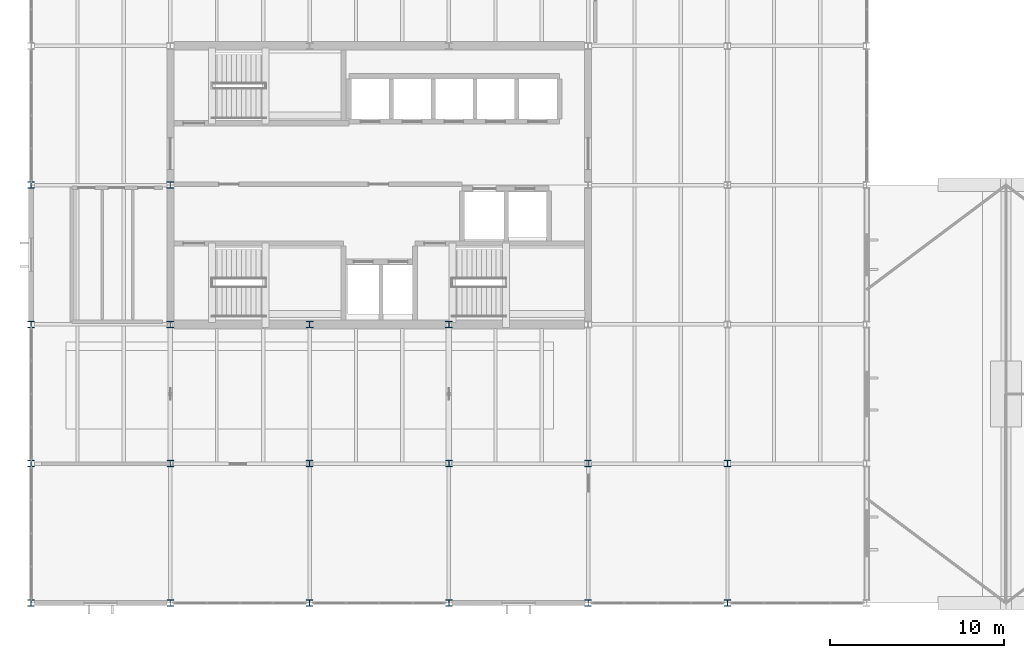
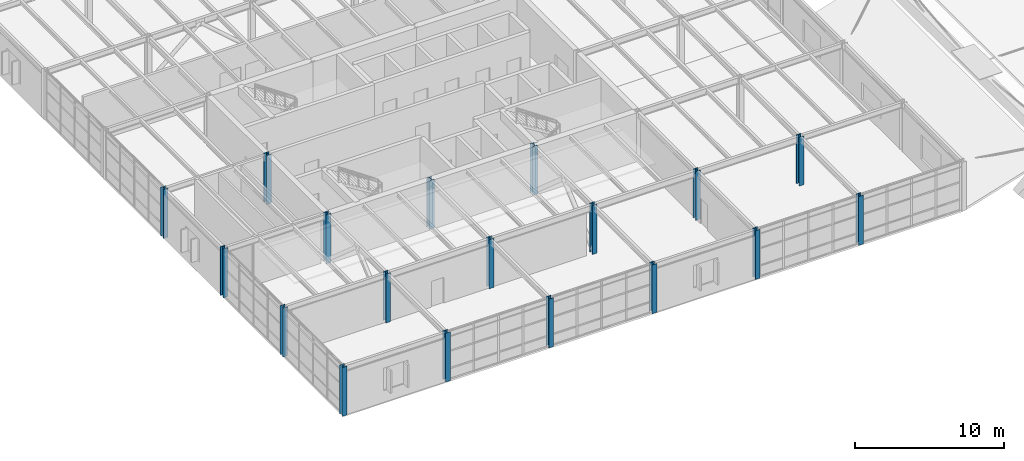
# One storey, part 1 of 50: 18 columns.
"""IFC4 building model written with IfcOpenShell, lengths in metres."""

import ifcopenshell
import ifcopenshell.guid

model = None  # the IFC model being written
_history = None  # IfcOwnerHistory: only IFC2X3 demands one
_inside = {}  # id of a spatial element -> (the spatial element, [elements in it])
_under = {}  # id of a project, library or spatial element -> (it, [spatial elements below it])
_declared = {}  # id of a project -> (the project, [libraries it declares])
_typed = {}  # id of a type object -> (the type object, [elements of that type])
_made_of = {}  # id of a material, layer set ... -> (it, [elements and type objects made of it])


def new_model(schema):
    """Start an empty IFC model of exactly this schema.

    Asked for "IFC4X3", IfcOpenShell would pick the latest addendum, in which some entities
    have other attributes; the version numbers below select the first issue.
    IFC2X3 requires an IfcOwnerHistory on every rooted entity: one is made here for all.
    """
    global model, _history
    if schema == "IFC4X3":
        model = ifcopenshell.file(schema_version=(4, 3, 0, 0))
    else:
        model = ifcopenshell.file(schema=schema)
    _inside.clear()
    _under.clear()
    _declared.clear()
    _typed.clear()
    _made_of.clear()
    _history = None
    if model.schema == "IFC2X3":
        org = make("IfcOrganization", Name="unknown")
        user = make(
            "IfcPersonAndOrganization",
            ThePerson=make("IfcPerson", FamilyName="unknown"),
            TheOrganization=org,
        )
        app = make(
            "IfcApplication",
            ApplicationDeveloper=org,
            Version="unknown",
            ApplicationFullName="unknown",
            ApplicationIdentifier="unknown",
        )
        _history = make(
            "IfcOwnerHistory",
            OwningUser=user,
            OwningApplication=app,
            ChangeAction="ADDED",
            CreationDate=0,
        )
    return model


def make(cls, **values):
    """One entity of the class cls with the attributes given. An attribute that is None is left unset."""
    return model.create_entity(
        cls, **{name: value for name, value in values.items() if value is not None}
    )


def rooted(cls, **values):
    """An entity with a GlobalId (a new one), such as an element, a storey or a relation."""
    return make(cls, GlobalId=ifcopenshell.guid.new(), OwnerHistory=_history, **values)


def si_unit(unit_type, name, prefix=None):
    """IfcSIUnit, for example si_unit("LENGTHUNIT", "METRE", prefix="MILLI")."""
    return make("IfcSIUnit", UnitType=unit_type, Prefix=prefix, Name=name)


def assignment(units):
    """IfcUnitAssignment: the units of a project."""
    return None if units is None else make("IfcUnitAssignment", Units=units)


def point(xyz):
    """IfcCartesianPoint."""
    return None if xyz is None else make("IfcCartesianPoint", Coordinates=xyz)


def direction(xyz):
    """IfcDirection."""
    return None if xyz is None else make("IfcDirection", DirectionRatios=xyz)


def frame(location, z_axis=None, x_axis=None):
    """IfcAxis2Placement3D, a coordinate frame: its origin and axes. An axis left out is left unset."""
    return make(
        "IfcAxis2Placement3D",
        Location=point(location),
        Axis=direction(z_axis),
        RefDirection=direction(x_axis),
    )


def frame_2d(location, x_axis=None):
    """IfcAxis2Placement2D, a coordinate frame in the plane: its origin and x axis."""
    return make(
        "IfcAxis2Placement2D", Location=point(location), RefDirection=direction(x_axis)
    )


def origin():
    """The frame at (0, 0, 0) with its axes left unset."""
    return frame((0.0, 0.0, 0.0))


def origin_2d():
    """The frame at (0, 0) in the plane with its x axis left unset."""
    return frame_2d((0.0, 0.0))


def place(relative_to, where):
    """IfcLocalPlacement: puts the frame where relative to a parent placement (None: the world)."""
    return make(
        "IfcLocalPlacement", PlacementRelTo=relative_to, RelativePlacement=where
    )


def context(
    kind, dimensions, precision=None, world=None, true_north=None, identifier=None
):
    """IfcGeometricRepresentationContext, for example the 3D "Model" context."""
    return make(
        "IfcGeometricRepresentationContext",
        ContextIdentifier=identifier,
        ContextType=kind,
        CoordinateSpaceDimension=dimensions,
        Precision=precision,
        WorldCoordinateSystem=world,
        TrueNorth=true_north,
    )


def subcontext(parent, identifier, kind, view, scale=None):
    """IfcGeometricRepresentationSubContext, for example "Body" below "Model"."""
    return make(
        "IfcGeometricRepresentationSubContext",
        ContextIdentifier=identifier,
        ContextType=kind,
        ParentContext=parent,
        TargetScale=scale,
        TargetView=view,
    )


def project(units=None, contexts=None):
    """IfcProject with its units and contexts."""
    return rooted(
        "IfcProject",
        Name="project",
        RepresentationContexts=contexts,
        UnitsInContext=assignment(units),
    )


def spatial(cls, under=None, at=None, **own):
    """A site, building, storey or space (cls), placed at a placement, below another one or the project."""
    s = rooted(cls, ObjectPlacement=at, **own)
    if under is not None:
        _under.setdefault(under.id(), (under, []))[1].append(s)
    return s


def profile(cls, at=None, kind="AREA", **sizes):
    """A parametric profile (cls). Its sizes go by their IFC names, for example OverallWidth=200.0."""
    return make(cls, ProfileType=kind, Position=at, **sizes)


def i_section(**sizes):
    """IfcIShapeProfileDef."""
    return profile("IfcIShapeProfileDef", **sizes)


def extrude(swept, where, along, depth):
    """IfcExtrudedAreaSolid: the profile swept, set in the frame where, extruded along a direction by depth."""
    return make(
        "IfcExtrudedAreaSolid",
        SweptArea=swept,
        Position=where,
        ExtrudedDirection=direction(along),
        Depth=depth,
    )


def shape(context_of_items, identifier, shape_type, items):
    """IfcShapeRepresentation: the items that make up one representation, for example the "Body"."""
    return make(
        "IfcShapeRepresentation",
        ContextOfItems=context_of_items,
        RepresentationIdentifier=identifier,
        RepresentationType=shape_type,
        Items=items,
    )


def material(Name=None, Category=None):
    """IfcMaterial."""
    return make("IfcMaterial", Name=Name, Category=Category)


def material_profile(
    of_material, cross_section, Name=None, Category=None, Priority=None
):
    """IfcMaterialProfile: a cross section and its material."""
    return make(
        "IfcMaterialProfile",
        Name=Name,
        Material=of_material,
        Profile=cross_section,
        Priority=Priority,
        Category=Category,
    )


def profile_set(profiles, Name=None, composite=None):
    """IfcMaterialProfileSet."""
    return make(
        "IfcMaterialProfileSet",
        Name=Name,
        MaterialProfiles=profiles,
        CompositeProfile=composite,
    )


def made_of(thing, what):
    """Note that an element or type object is made of a material, layer set ...; save() writes the relation."""
    if what is not None:
        _made_of.setdefault(what.id(), (what, []))[1].append(thing)
    return thing


def type_object(cls, material=None, **own):
    """A type object (cls), such as IfcWallType, which elements share."""
    return made_of(rooted(cls, **own), material)


def element(
    cls,
    number,
    at=None,
    inside=None,
    cuts=None,
    type_object=None,
    material=None,
    context=None,
    identifier="Body",
    shape_type=None,
    held_by="IfcProductDefinitionShape",
    body=None,
    shapes=None,
    **own,
):
    """One element of the class cls, such as IfcWall. Its Tag is "e" and its number.

    at: its placement. inside: the storey or other place that contains it. cuts: it is an
    opening in that element (IfcRelVoidsElement). A single representation is given by context,
    identifier, shape_type and body (its items); several are given by shapes. held_by: the class
    of the entity that holds the representations. save() writes the other relations.
    """
    e = rooted(cls, Tag="e%d" % number, ObjectPlacement=at, **own)
    if body is not None:
        shapes = [shape(context, identifier, shape_type, body)]
    if shapes is not None:
        e.Representation = make(held_by, Representations=shapes)
    if inside is not None:
        _inside.setdefault(inside.id(), (inside, []))[1].append(e)
    if cuts is not None:
        rooted(
            "IfcRelVoidsElement", RelatingBuildingElement=cuts, RelatedOpeningElement=e
        )
    if type_object is not None:
        _typed.setdefault(type_object.id(), (type_object, []))[1].append(e)
    return made_of(e, material)


def aggregate(whole, parts):
    """IfcRelAggregates: a whole, such as a stair, and the parts it consists of."""
    return rooted("IfcRelAggregates", RelatingObject=whole, RelatedObjects=parts)


def save(model, path):
    """Write the relations noted so far, then the file.

    IfcRelAggregates (storeys below a building ...), IfcRelContainedInSpatialStructure (elements
    in a storey), IfcRelDefinesByType, IfcRelAssociatesMaterial and IfcRelDeclares: one each for
    every whole, place, type object, material and project.
    """
    for whole, parts in _under.values():
        aggregate(whole, parts)
    for where, things in _inside.values():
        rooted(
            "IfcRelContainedInSpatialStructure",
            RelatedElements=things,
            RelatingStructure=where,
        )
    for kind, things in _typed.values():
        rooted("IfcRelDefinesByType", RelatedObjects=things, RelatingType=kind)
    for what, things in _made_of.values():
        rooted("IfcRelAssociatesMaterial", RelatedObjects=things, RelatingMaterial=what)
    for by, libraries in _declared.values():
        rooted("IfcRelDeclares", RelatingContext=by, RelatedDefinitions=libraries)
    model.write(path)


model = new_model("IFC4")

# Units and contexts
model_context = context("Model", 3, precision=1e-05, world=origin(), true_north=direction((0.0, 1.0)))
body_context = subcontext(model_context, "Body", "Model", "MODEL_VIEW")
ifc_project = project(units=[si_unit("LENGTHUNIT", "METRE"), si_unit("AREAUNIT", "SQUARE_METRE"), si_unit("VOLUMEUNIT", "CUBIC_METRE"), si_unit("PLANEANGLEUNIT", "RADIAN"), si_unit("MASSUNIT", "GRAM", prefix="KILO")], contexts=[model_context])

# Site, building, storey
site_placement = place(None, origin())
site = spatial("IfcSite", under=ifc_project, at=site_placement, CompositionType="ELEMENT")
building_placement = place(site_placement, origin())
building = spatial("IfcBuilding", under=site, at=building_placement, Name="Varnela Railside Interchange", CompositionType="ELEMENT")
storey_placement = place(building_placement, frame((0.0, 0.0, 15.39990234375)))
storey = spatial("IfcBuildingStorey", under=building, at=storey_placement, Name="L03", CompositionType="ELEMENT", Elevation=15.39990234375)

# Columns
ifc_material = material(Name="Steel AR 350 (350 MPa)", Category="steel")
ifc_material_profile_1 = material_profile(ifc_material, i_section(OverallWidth=0.39404296875, OverallDepth=0.375, WebThickness=0.017333984375, FlangeThickness=0.027587890625, at=origin_2d()), Name="W360x216")
ifc_profile_set_1 = profile_set([ifc_material_profile_1], Name="Steel AR 350 (350 MPa)")
column_type_1 = type_object("IfcColumnType", Name="Superstructure Steel Col C-17", PredefinedType="COLUMN", material=ifc_profile_set_1)
for number, where, z_axis, x_axis, name in (
    (1, (12.0, 54.0, 0.0), (0.0, 0.0, 1.0), (1.0, 0.0, 0.0), "Column C-17 (L03) (CL-0859)"),
    (2, (12.0, 62.0, 0.0), (0.0, 0.0, 1.0), (1.0, 0.0, 0.0), "Column C-17 (L03) (CL-0860)"),
    (3, (20.0, 54.0, 0.0), (0.0, 0.0, 1.0), (1.0, 0.0, 0.0), "Column C-17 (L03) (CL-0867)"),
    (4, (28.0, 54.0, 0.0), (0.0, 0.0, 1.0), (1.0, 0.0, 0.0), "Column C-17 (L03) (CL-0874)"),
):
    element("IfcColumn", number, at=place(storey_placement, frame(where, z_axis=z_axis, x_axis=x_axis)), inside=storey, type_object=column_type_1, Name=name, PredefinedType="COLUMN", context=body_context, shape_type="SweptSolid", body=[
        extrude(i_section(OverallWidth=0.39404296875, OverallDepth=0.375, WebThickness=0.017333984375, FlangeThickness=0.027587890625, at=origin_2d()), origin(), (0.0, 0.0, 1.0), 4.0),
    ])
ifc_material_profile_2 = material_profile(ifc_material, i_section(OverallWidth=0.373046875, OverallDepth=0.367919921875, WebThickness=0.014892578125, FlangeThickness=0.02392578125, at=origin_2d()), Name="W360x179")
ifc_profile_set_2 = profile_set([ifc_material_profile_2], Name="Steel AR 350 (350 MPa)")
column_type_2 = type_object("IfcColumnType", Name="Superstructure Steel Col C-18", PredefinedType="COLUMN", material=ifc_profile_set_2)
for number, where, z_axis, x_axis, name in (
    (5, (4.0, 38.0, 0.0), (0.0, 0.0, 1.0), (1.0, 0.0, 0.0), "Column C-18 (L03) (CL-0849)"),
    (6, (4.0, 46.0, 0.0), (0.0, 0.0, 1.0), (1.0, 0.0, 0.0), "Column C-18 (L03) (CL-0850)"),
    (7, (4.0, 54.0, 0.0), (0.0, 0.0, 1.0), (1.0, 0.0, 0.0), "Column C-18 (L03) (CL-0851)"),
    (8, (4.0, 62.0, 0.0), (0.0, 0.0, 1.0), (1.0, 0.0, 0.0), "Column C-18 (L03) (CL-0852)"),
    (9, (12.0, 38.0, 0.0), (0.0, 0.0, 1.0), (1.0, 0.0, 0.0), "Column C-18 (L03) (CL-0857)"),
    (10, (12.0, 46.0, 0.0), (0.0, 0.0, 1.0), (1.0, 0.0, 0.0), "Column C-18 (L03) (CL-0858)"),
    (11, (20.0, 38.0, 0.0), (0.0, 0.0, 1.0), (1.0, 0.0, 0.0), "Column C-18 (L03) (CL-0865)"),
    (12, (20.0, 46.0, 0.0), (0.0, 0.0, 1.0), (1.0, 0.0, 0.0), "Column C-18 (L03) (CL-0866)"),
    (13, (28.0, 38.0, 0.0), (0.0, 0.0, 1.0), (1.0, 0.0, 0.0), "Column C-18 (L03) (CL-0872)"),
    (14, (28.0, 46.0, 0.0), (0.0, 0.0, 1.0), (1.0, 0.0, 0.0), "Column C-18 (L03) (CL-0873)"),
    (15, (36.0, 38.0, 0.0), (0.0, 0.0, 1.0), (1.0, 0.0, 0.0), "Column C-18 (L03) (CL-0879)"),
    (16, (36.0, 46.0, 0.0), (0.0, 0.0, 1.0), (1.0, 0.0, 0.0), "Column C-18 (L03) (CL-0880)"),
    (17, (44.0, 38.0, 0.0), (0.0, 0.0, 1.0), (1.0, 0.0, 0.0), "Column C-18 (L03) (CL-0887)"),
    (18, (44.0, 46.0, 0.0), (0.0, 0.0, 1.0), (1.0, 0.0, 0.0), "Column C-18 (L03) (CL-0888)"),
):
    element("IfcColumn", number, at=place(storey_placement, frame(where, z_axis=z_axis, x_axis=x_axis)), inside=storey, type_object=column_type_2, Name=name, PredefinedType="COLUMN", context=body_context, shape_type="SweptSolid", body=[
        extrude(i_section(OverallWidth=0.373046875, OverallDepth=0.367919921875, WebThickness=0.014892578125, FlangeThickness=0.02392578125, at=origin_2d()), origin(), (0.0, 0.0, 1.0), 4.0),
    ])

save(model, "model.ifc")
